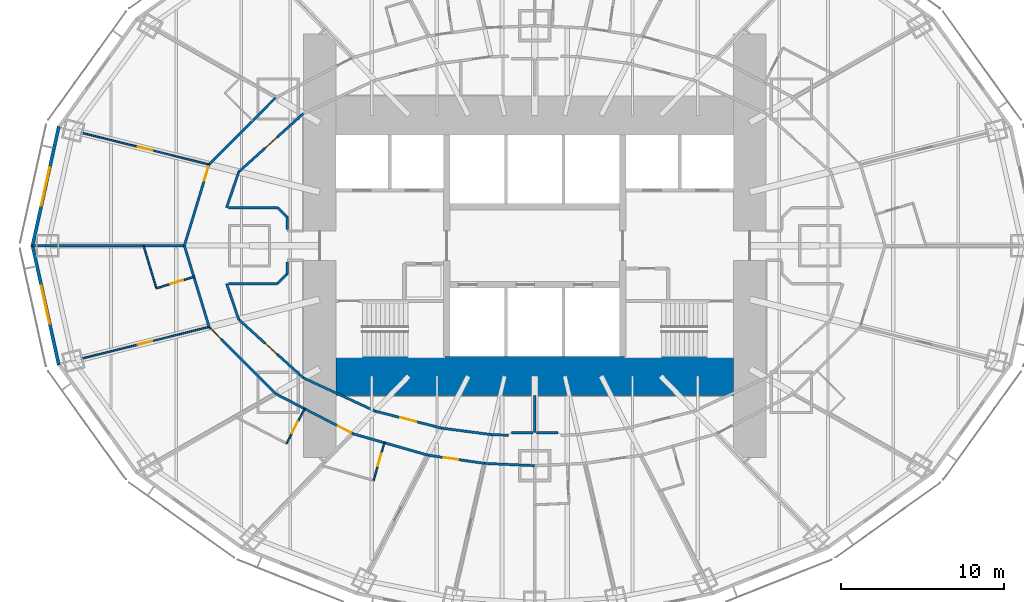
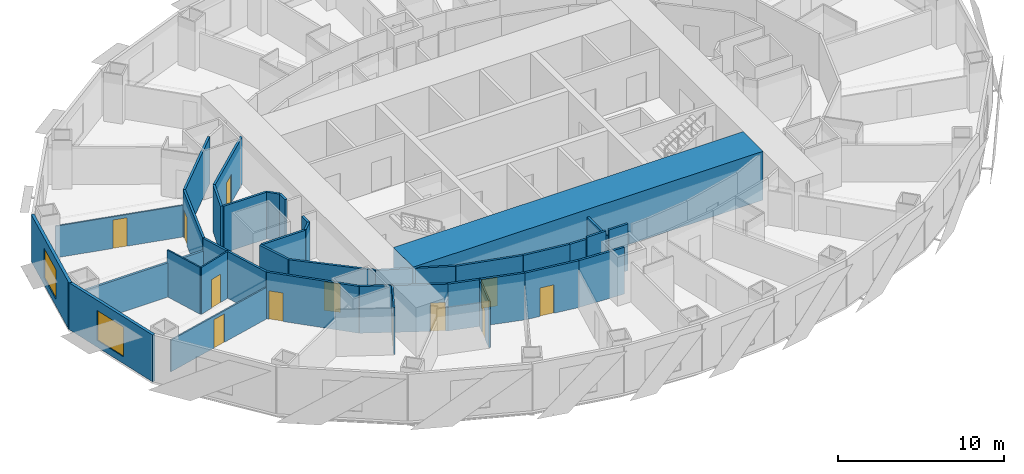
# One storey, part 5 of 15: 35 walls, 12 doors, 2 windows, 14 openings.
"""IFC4 building model written with IfcOpenShell, lengths in metres."""

import ifcopenshell
import ifcopenshell.guid

model = None  # the IFC model being written
_history = None  # IfcOwnerHistory: only IFC2X3 demands one
_inside = {}  # id of a spatial element -> (the spatial element, [elements in it])
_under = {}  # id of a project, library or spatial element -> (it, [spatial elements below it])
_declared = {}  # id of a project -> (the project, [libraries it declares])
_typed = {}  # id of a type object -> (the type object, [elements of that type])
_made_of = {}  # id of a material, layer set ... -> (it, [elements and type objects made of it])


def new_model(schema):
    """Start an empty IFC model of exactly this schema.

    Asked for "IFC4X3", IfcOpenShell would pick the latest addendum, in which some entities
    have other attributes; the version numbers below select the first issue.
    IFC2X3 requires an IfcOwnerHistory on every rooted entity: one is made here for all.
    """
    global model, _history
    if schema == "IFC4X3":
        model = ifcopenshell.file(schema_version=(4, 3, 0, 0))
    else:
        model = ifcopenshell.file(schema=schema)
    _inside.clear()
    _under.clear()
    _declared.clear()
    _typed.clear()
    _made_of.clear()
    _history = None
    if model.schema == "IFC2X3":
        org = make("IfcOrganization", Name="unknown")
        user = make(
            "IfcPersonAndOrganization",
            ThePerson=make("IfcPerson", FamilyName="unknown"),
            TheOrganization=org,
        )
        app = make(
            "IfcApplication",
            ApplicationDeveloper=org,
            Version="unknown",
            ApplicationFullName="unknown",
            ApplicationIdentifier="unknown",
        )
        _history = make(
            "IfcOwnerHistory",
            OwningUser=user,
            OwningApplication=app,
            ChangeAction="ADDED",
            CreationDate=0,
        )
    return model


def make(cls, **values):
    """One entity of the class cls with the attributes given. An attribute that is None is left unset."""
    return model.create_entity(
        cls, **{name: value for name, value in values.items() if value is not None}
    )


def rooted(cls, **values):
    """An entity with a GlobalId (a new one), such as an element, a storey or a relation."""
    return make(cls, GlobalId=ifcopenshell.guid.new(), OwnerHistory=_history, **values)


def si_unit(unit_type, name, prefix=None):
    """IfcSIUnit, for example si_unit("LENGTHUNIT", "METRE", prefix="MILLI")."""
    return make("IfcSIUnit", UnitType=unit_type, Prefix=prefix, Name=name)


def assignment(units):
    """IfcUnitAssignment: the units of a project."""
    return None if units is None else make("IfcUnitAssignment", Units=units)


def point(xyz):
    """IfcCartesianPoint."""
    return None if xyz is None else make("IfcCartesianPoint", Coordinates=xyz)


def direction(xyz):
    """IfcDirection."""
    return None if xyz is None else make("IfcDirection", DirectionRatios=xyz)


def frame(location, z_axis=None, x_axis=None):
    """IfcAxis2Placement3D, a coordinate frame: its origin and axes. An axis left out is left unset."""
    return make(
        "IfcAxis2Placement3D",
        Location=point(location),
        Axis=direction(z_axis),
        RefDirection=direction(x_axis),
    )


def frame_2d(location, x_axis=None):
    """IfcAxis2Placement2D, a coordinate frame in the plane: its origin and x axis."""
    return make(
        "IfcAxis2Placement2D", Location=point(location), RefDirection=direction(x_axis)
    )


def origin():
    """The frame at (0, 0, 0) with its axes left unset."""
    return frame((0.0, 0.0, 0.0))


def place(relative_to, where):
    """IfcLocalPlacement: puts the frame where relative to a parent placement (None: the world)."""
    return make(
        "IfcLocalPlacement", PlacementRelTo=relative_to, RelativePlacement=where
    )


def context(
    kind, dimensions, precision=None, world=None, true_north=None, identifier=None
):
    """IfcGeometricRepresentationContext, for example the 3D "Model" context."""
    return make(
        "IfcGeometricRepresentationContext",
        ContextIdentifier=identifier,
        ContextType=kind,
        CoordinateSpaceDimension=dimensions,
        Precision=precision,
        WorldCoordinateSystem=world,
        TrueNorth=true_north,
    )


def subcontext(parent, identifier, kind, view, scale=None):
    """IfcGeometricRepresentationSubContext, for example "Body" below "Model"."""
    return make(
        "IfcGeometricRepresentationSubContext",
        ContextIdentifier=identifier,
        ContextType=kind,
        ParentContext=parent,
        TargetScale=scale,
        TargetView=view,
    )


def project(units=None, contexts=None):
    """IfcProject with its units and contexts."""
    return rooted(
        "IfcProject",
        Name="project",
        RepresentationContexts=contexts,
        UnitsInContext=assignment(units),
    )


def spatial(cls, under=None, at=None, **own):
    """A site, building, storey or space (cls), placed at a placement, below another one or the project."""
    s = rooted(cls, ObjectPlacement=at, **own)
    if under is not None:
        _under.setdefault(under.id(), (under, []))[1].append(s)
    return s


def profile(cls, at=None, kind="AREA", **sizes):
    """A parametric profile (cls). Its sizes go by their IFC names, for example OverallWidth=200.0."""
    return make(cls, ProfileType=kind, Position=at, **sizes)


def rectangle(**sizes):
    """IfcRectangleProfileDef."""
    return profile("IfcRectangleProfileDef", **sizes)


def extrude(swept, where, along, depth):
    """IfcExtrudedAreaSolid: the profile swept, set in the frame where, extruded along a direction by depth."""
    return make(
        "IfcExtrudedAreaSolid",
        SweptArea=swept,
        Position=where,
        ExtrudedDirection=direction(along),
        Depth=depth,
    )


def shape(context_of_items, identifier, shape_type, items):
    """IfcShapeRepresentation: the items that make up one representation, for example the "Body"."""
    return make(
        "IfcShapeRepresentation",
        ContextOfItems=context_of_items,
        RepresentationIdentifier=identifier,
        RepresentationType=shape_type,
        Items=items,
    )


def material(Name=None, Category=None):
    """IfcMaterial."""
    return make("IfcMaterial", Name=Name, Category=Category)


def layer(
    of_material, thickness, ventilated=None, Name=None, Category=None, Priority=None
):
    """IfcMaterialLayer: one layer of a wall or slab, of a material (None: an air gap)."""
    return make(
        "IfcMaterialLayer",
        Material=of_material,
        LayerThickness=thickness,
        IsVentilated=ventilated,
        Name=Name,
        Category=Category,
        Priority=Priority,
    )


def layer_set(layers, Name=None):
    """IfcMaterialLayerSet."""
    return make("IfcMaterialLayerSet", MaterialLayers=layers, LayerSetName=Name)


def made_of(thing, what):
    """Note that an element or type object is made of a material, layer set ...; save() writes the relation."""
    if what is not None:
        _made_of.setdefault(what.id(), (what, []))[1].append(thing)
    return thing


def type_object(cls, material=None, **own):
    """A type object (cls), such as IfcWallType, which elements share."""
    return made_of(rooted(cls, **own), material)


def element(
    cls,
    number,
    at=None,
    inside=None,
    cuts=None,
    type_object=None,
    material=None,
    context=None,
    identifier="Body",
    shape_type=None,
    held_by="IfcProductDefinitionShape",
    body=None,
    shapes=None,
    **own,
):
    """One element of the class cls, such as IfcWall. Its Tag is "e" and its number.

    at: its placement. inside: the storey or other place that contains it. cuts: it is an
    opening in that element (IfcRelVoidsElement). A single representation is given by context,
    identifier, shape_type and body (its items); several are given by shapes. held_by: the class
    of the entity that holds the representations. save() writes the other relations.
    """
    e = rooted(cls, Tag="e%d" % number, ObjectPlacement=at, **own)
    if body is not None:
        shapes = [shape(context, identifier, shape_type, body)]
    if shapes is not None:
        e.Representation = make(held_by, Representations=shapes)
    if inside is not None:
        _inside.setdefault(inside.id(), (inside, []))[1].append(e)
    if cuts is not None:
        rooted(
            "IfcRelVoidsElement", RelatingBuildingElement=cuts, RelatedOpeningElement=e
        )
    if type_object is not None:
        _typed.setdefault(type_object.id(), (type_object, []))[1].append(e)
    return made_of(e, material)


def fill(opening, filler):
    """IfcRelFillsElement: the door or window that sits in an opening."""
    return rooted(
        "IfcRelFillsElement",
        RelatingOpeningElement=opening,
        RelatedBuildingElement=filler,
    )


def aggregate(whole, parts):
    """IfcRelAggregates: a whole, such as a stair, and the parts it consists of."""
    return rooted("IfcRelAggregates", RelatingObject=whole, RelatedObjects=parts)


def save(model, path):
    """Write the relations noted so far, then the file.

    IfcRelAggregates (storeys below a building ...), IfcRelContainedInSpatialStructure (elements
    in a storey), IfcRelDefinesByType, IfcRelAssociatesMaterial and IfcRelDeclares: one each for
    every whole, place, type object, material and project.
    """
    for whole, parts in _under.values():
        aggregate(whole, parts)
    for where, things in _inside.values():
        rooted(
            "IfcRelContainedInSpatialStructure",
            RelatedElements=things,
            RelatingStructure=where,
        )
    for kind, things in _typed.values():
        rooted("IfcRelDefinesByType", RelatedObjects=things, RelatingType=kind)
    for what, things in _made_of.values():
        rooted("IfcRelAssociatesMaterial", RelatedObjects=things, RelatingMaterial=what)
    for by, libraries in _declared.values():
        rooted("IfcRelDeclares", RelatingContext=by, RelatedDefinitions=libraries)
    model.write(path)


model = new_model("IFC4")

# Units and contexts
model_context = context("Model", 3, precision=1e-05, world=origin(), true_north=direction((0.0, 1.0)))
body_context = subcontext(model_context, "Body", "Model", "MODEL_VIEW")
ifc_project = project(units=[si_unit("LENGTHUNIT", "METRE"), si_unit("AREAUNIT", "SQUARE_METRE"), si_unit("VOLUMEUNIT", "CUBIC_METRE"), si_unit("PLANEANGLEUNIT", "RADIAN"), si_unit("MASSUNIT", "GRAM", prefix="KILO")], contexts=[model_context])

# Site, building, storey
site_placement = place(None, origin())
site = spatial("IfcSite", under=ifc_project, at=site_placement, CompositionType="ELEMENT")
building_placement = place(site_placement, origin())
building = spatial("IfcBuilding", under=site, at=building_placement, Name="Lantaw Convention Tower", CompositionType="ELEMENT")
storey_placement = place(building_placement, frame((0.0, 0.0, 51.39990234375)))
storey = spatial("IfcBuildingStorey", under=building, at=storey_placement, Name="L10", CompositionType="ELEMENT", Elevation=51.39990234375)

# Wall
ifc_material_1 = material(Name="Gypsum board on steel studs", Category="steel")
ifc_layer_1 = layer(ifc_material_1, 0.14990234375)
ifc_layer_set_1 = layer_set([ifc_layer_1], Name="Back of house wall 150")
wall_type_1 = type_object("IfcWallType", Name="Back of house wall 150", PredefinedType="PARTITIONING", material=ifc_layer_set_1)
wall_1_placement = place(storey_placement, frame((0.0, -9.199951171875, 0.0), z_axis=(0.0, 0.0, 1.0), x_axis=(0.0, -1.0, 0.0)))
element("IfcWall", 1, at=wall_1_placement, inside=storey, type_object=wall_type_1, Name="Back of house wall 150", PredefinedType="PARTITIONING", context=body_context, shape_type="SweptSolid", body=[
    extrude(rectangle(XDim=2.26513671875, YDim=0.14990234375, at=frame_2d((1.132568359375, 0.0))), origin(), (0.0, 0.0, 1.0), 3.043701171875),
])

# Wall, opening, door
ifc_material_2 = material(Name="Moisture resistant gypsum board on steel studs", Category="steel")
ifc_layer_2 = layer(ifc_material_2, 0.10009765625)
ifc_layer_set_2 = layer_set([ifc_layer_2], Name="Bathroom wall 100")
wall_type_2 = type_object("IfcWallType", Name="Bathroom wall 100", PredefinedType="PARTITIONING", material=ifc_layer_set_2)
wall_2_placement = place(storey_placement, frame((-20.917236328125, -1.9130859375, 0.0), z_axis=(0.0, 0.0, 1.0), x_axis=(-0.956591303063, -0.291432803411, 0.0)))
wall_2 = element("IfcWall", 2, at=wall_2_placement, inside=storey, type_object=wall_type_2, Name="Bathroom wall 100", PredefinedType="PARTITIONING", context=body_context, shape_type="SweptSolid", body=[
    extrude(rectangle(XDim=2.400146484375, YDim=0.10009765625, at=frame_2d((1.2001953125, 0.0))), origin(), (0.0, 0.0, 1.0), 3.4501953125),
])
opening_1_placement = place(wall_2_placement, frame((0.699951171875, 0.0, 0.0)))
opening_1 = element("IfcOpeningElement", 3, at=opening_1_placement, cuts=wall_2, Name="Opening L10.44", PredefinedType="OPENING", context=body_context, shape_type="SweptSolid", body=[
    extrude(rectangle(XDim=0.800048828125, YDim=2.10009765625, at=frame_2d((0.39990234375, 1.050048828125))), frame((0.0, 0.06005859375, 0.0), z_axis=(0.0, -1.0, 0.0), x_axis=(1.0, 0.0, 0.0)), (0.0, 0.0, 1.0), 0.1201171875),
])
ifc_material_3 = material(Name="Timber", Category="wood")
door_type_1 = type_object("IfcDoorType", Name="Bathroom door 800", OperationType="SINGLE_SWING_LEFT", PredefinedType="DOOR", material=ifc_material_3)
door_1_placement = place(opening_1_placement, origin())
door_1 = element("IfcDoor", 4, at=door_1_placement, inside=storey, type_object=door_type_1, Name="Bathroom door", OperationType="SINGLE_SWING_LEFT", OverallHeight=2.10009765625, OverallWidth=0.800048828125, PredefinedType="DOOR", context=body_context, shape_type="SweptSolid", body=[
    extrude(rectangle(XDim=0.800048828125, YDim=2.10009765625, at=frame_2d((0.39990234375, 1.050048828125))), frame((0.0, 0.02490234375, 0.0), z_axis=(0.0, -1.0, 0.0), x_axis=(1.0, 0.0, 0.0)), (0.0, 0.0, 1.0), 0.050048828125),
])
fill(opening_1, door_1)

# Wall
wall_3_placement = place(storey_placement, frame((-23.213134765625, -2.612548828125, 0.0), z_axis=(0.0, 0.0, 1.0), x_axis=(-0.291339473488, 0.956619731757, 0.0)))
element("IfcWall", 5, at=wall_3_placement, inside=storey, type_object=wall_type_2, Name="Bathroom wall 100", PredefinedType="PARTITIONING", context=body_context, shape_type="SweptSolid", body=[
    extrude(rectangle(XDim=2.73095703125, YDim=0.10009765625, at=frame_2d((1.365478515625, 0.0))), origin(), (0.0, 0.0, 1.0), 3.4501953125),
])

# Wall, opening, door
wall_4_placement = place(storey_placement, frame((-14.12451171875, -10.0048828125, 0.0), z_axis=(0.0, 0.0, 1.0), x_axis=(-0.459218106657, -0.888323550582, 0.0)))
wall_4 = element("IfcWall", 6, at=wall_4_placement, inside=storey, type_object=wall_type_2, Name="Bathroom wall 100", PredefinedType="PARTITIONING", context=body_context, shape_type="SweptSolid", body=[
    extrude(rectangle(XDim=2.39990234375, YDim=0.10009765625, at=frame_2d((1.199951171875, 0.0))), origin(), (0.0, 0.0, 1.0), 3.4501953125),
])
opening_2_placement = place(wall_4_placement, frame((0.89990234375, 0.0, 0.0)))
opening_2 = element("IfcOpeningElement", 7, at=opening_2_placement, cuts=wall_4, Name="Opening L10.47", PredefinedType="OPENING", context=body_context, shape_type="SweptSolid", body=[
    extrude(rectangle(XDim=0.800048828125, YDim=2.10009765625, at=frame_2d((0.39990234375, 1.050048828125))), frame((0.0, 0.06005859375, 0.0), z_axis=(0.0, -1.0, 0.0), x_axis=(1.0, 0.0, 0.0)), (0.0, 0.0, 1.0), 0.1201171875),
])
door_2_placement = place(opening_2_placement, origin())
door_2 = element("IfcDoor", 8, at=door_2_placement, inside=storey, type_object=door_type_1, Name="Bathroom door", OperationType="SINGLE_SWING_LEFT", OverallHeight=2.10009765625, OverallWidth=0.800048828125, PredefinedType="DOOR", context=body_context, shape_type="SweptSolid", body=[
    extrude(rectangle(XDim=0.800048828125, YDim=2.10009765625, at=frame_2d((0.39990234375, 1.050048828125))), frame((0.0, 0.02490234375, 0.0), z_axis=(0.0, -1.0, 0.0), x_axis=(1.0, 0.0, 0.0)), (0.0, 0.0, 1.0), 0.050048828125),
])
fill(opening_2, door_2)

wall_5_placement = place(storey_placement, frame((-9.224609375, -12.093505859375, 0.0), z_axis=(0.0, 0.0, 1.0), x_axis=(-0.274949510627, -0.961458666093, 0.0)))
wall_5 = element("IfcWall", 9, at=wall_5_placement, inside=storey, type_object=wall_type_2, Name="Bathroom wall 100", PredefinedType="PARTITIONING", context=body_context, shape_type="SweptSolid", body=[
    extrude(rectangle(XDim=2.400146484375, YDim=0.10009765625, at=frame_2d((1.2001953125, 0.0))), origin(), (0.0, 0.0, 1.0), 3.4501953125),
])
opening_3_placement = place(wall_5_placement, frame((0.699951171875, 0.0, 0.0)))
opening_3 = element("IfcOpeningElement", 10, at=opening_3_placement, cuts=wall_5, Name="Opening L10.49", PredefinedType="OPENING", context=body_context, shape_type="SweptSolid", body=[
    extrude(rectangle(XDim=0.800048828125, YDim=2.10009765625, at=frame_2d((0.39990234375, 1.050048828125))), frame((0.0, 0.06005859375, 0.0), z_axis=(0.0, -1.0, 0.0), x_axis=(1.0, 0.0, 0.0)), (0.0, 0.0, 1.0), 0.1201171875),
])
door_3_placement = place(opening_3_placement, origin())
door_3 = element("IfcDoor", 11, at=door_3_placement, inside=storey, type_object=door_type_1, Name="Bathroom door", OperationType="SINGLE_SWING_LEFT", OverallHeight=2.10009765625, OverallWidth=0.800048828125, PredefinedType="DOOR", context=body_context, shape_type="SweptSolid", body=[
    extrude(rectangle(XDim=0.800048828125, YDim=2.10009765625, at=frame_2d((0.39990234375, 1.050048828125))), frame((0.0, 0.02490234375, 0.0), z_axis=(0.0, -1.0, 0.0), x_axis=(1.0, 0.0, 0.0)), (0.0, 0.0, 1.0), 0.050048828125),
])
fill(opening_3, door_3)

# Walls
ifc_material_4 = material(Name="Concrete C60/75", Category="concrete")
ifc_layer_3 = layer(ifc_material_4, 2.39990234375)
ifc_layer_set_3 = layer_set([ifc_layer_3], Name="Core wall 2400")
wall_type_3 = type_object("IfcWallType", Name="Core wall 2400", PredefinedType="SHEAR", material=ifc_layer_set_3)
wall_6_placement = place(storey_placement, frame((-12.199951171875, -8.0, 0.0), z_axis=(0.0, 0.0, 1.0), x_axis=(1.0, 0.0, 0.0)))
element("IfcWall", 12, at=wall_6_placement, inside=storey, type_object=wall_type_3, Name="Core wall S", PredefinedType="SHEAR", context=body_context, shape_type="SweptSolid", body=[
    extrude(rectangle(XDim=24.39990234375, YDim=2.39990234375, at=frame_2d((12.199951171875, 0.0))), origin(), (0.0, 0.0, 1.0), 3.60009765625),
])
ifc_material_5 = material(Name="Gypsum board on steel studs, fire rated", Category="steel")
ifc_layer_4 = layer(ifc_material_5, 0.14990234375)
ifc_layer_set_4 = layer_set([ifc_layer_4], Name="Corridor wall 150 EI 60")
wall_type_4 = type_object("IfcWallType", Name="Corridor wall 150 EI 60", PredefinedType="PARTITIONING", material=ifc_layer_set_4)
wall_7_placement = place(storey_placement, frame((-15.901123046875, 9.08642578125, 0.0), z_axis=(0.0, 0.0, 1.0), x_axis=(-0.705121546414, -0.709086457904, 0.0)))
element("IfcWall", 13, at=wall_7_placement, inside=storey, type_object=wall_type_4, Name="Corridor wall 150", PredefinedType="PARTITIONING", context=body_context, shape_type="SweptSolid", body=[
    extrude(rectangle(XDim=5.7880859375, YDim=0.14990234375, at=frame_2d((2.89404296875, 0.0))), origin(), (0.0, 0.0, 1.0), 3.4501953125),
])

# Wall, opening, door
wall_8_placement = place(storey_placement, frame((-19.982421875, 4.982177734375, 0.0), z_axis=(0.0, 0.0, 1.0), x_axis=(-0.291383581394, -0.95660629754, 0.0)))
wall_8 = element("IfcWall", 14, at=wall_8_placement, inside=storey, type_object=wall_type_4, Name="Corridor wall 150", PredefinedType="PARTITIONING", context=body_context, shape_type="SweptSolid", body=[
    extrude(rectangle(XDim=5.208251953125, YDim=0.14990234375, at=frame_2d((2.60400390625, 0.0))), origin(), (0.0, 0.0, 1.0), 3.4501953125),
])
opening_4_placement = place(wall_8_placement, frame((0.14990234375, 0.0, 0.0)))
opening_4 = element("IfcOpeningElement", 15, at=opening_4_placement, cuts=wall_8, Name="Opening L10.43", PredefinedType="OPENING", context=body_context, shape_type="SweptSolid", body=[
    extrude(rectangle(XDim=0.89990234375, YDim=2.10009765625, at=frame_2d((0.449951171875, 1.050048828125))), frame((0.0, 0.0849609375, 0.0), z_axis=(0.0, -1.0, 0.0), x_axis=(1.0, 0.0, 0.0)), (0.0, 0.0, 1.0), 0.169921875),
])
ifc_material_6 = material(Name="Steel, fire rated", Category="steel")
door_type_2 = type_object("IfcDoorType", Name="Guest room entrance door FD30S", OperationType="SINGLE_SWING_LEFT", PredefinedType="DOOR", material=ifc_material_6)
door_4_placement = place(opening_4_placement, origin())
door_4 = element("IfcDoor", 16, at=door_4_placement, inside=storey, type_object=door_type_2, Name="Suite entrance door", OperationType="SINGLE_SWING_LEFT", OverallHeight=2.10009765625, OverallWidth=0.89990234375, PredefinedType="DOOR", context=body_context, shape_type="SweptSolid", body=[
    extrude(rectangle(XDim=0.89990234375, YDim=2.10009765625, at=frame_2d((0.449951171875, 1.050048828125))), frame((0.0, 0.02490234375, 0.0), z_axis=(0.0, -1.0, 0.0), x_axis=(1.0, 0.0, 0.0)), (0.0, 0.0, 1.0), 0.050048828125),
])
fill(opening_4, door_4)

# Wall
wall_9_placement = place(storey_placement, frame((-21.5, 0.0, 0.0), z_axis=(0.0, 0.0, 1.0), x_axis=(0.291383581394, -0.95660629754, 0.0)))
element("IfcWall", 17, at=wall_9_placement, inside=storey, type_object=wall_type_4, Name="Corridor wall 150", PredefinedType="PARTITIONING", context=body_context, shape_type="SweptSolid", body=[
    extrude(rectangle(XDim=5.208251953125, YDim=0.14990234375, at=frame_2d((2.60400390625, 0.0))), origin(), (0.0, 0.0, 1.0), 3.4501953125),
])

# Wall, opening, door
wall_10_placement = place(storey_placement, frame((-19.982421875, -4.982177734375, 0.0), z_axis=(0.0, 0.0, 1.0), x_axis=(0.705121546414, -0.709086457904, 0.0)))
wall_10 = element("IfcWall", 18, at=wall_10_placement, inside=storey, type_object=wall_type_4, Name="Corridor wall 150", PredefinedType="PARTITIONING", context=body_context, shape_type="SweptSolid", body=[
    extrude(rectangle(XDim=5.7880859375, YDim=0.14990234375, at=frame_2d((2.89404296875, 0.0))), origin(), (0.0, 0.0, 1.0), 3.4501953125),
])
opening_5_placement = place(wall_10_placement, frame((0.14990234375, 0.0, 0.0)))
opening_5 = element("IfcOpeningElement", 19, at=opening_5_placement, cuts=wall_10, Name="Opening L10.46", PredefinedType="OPENING", context=body_context, shape_type="SweptSolid", body=[
    extrude(rectangle(XDim=0.89990234375, YDim=2.10009765625, at=frame_2d((0.449951171875, 1.050048828125))), frame((0.0, 0.0849609375, 0.0), z_axis=(0.0, -1.0, 0.0), x_axis=(1.0, 0.0, 0.0)), (0.0, 0.0, 1.0), 0.169921875),
])
door_5_placement = place(opening_5_placement, origin())
door_5 = element("IfcDoor", 20, at=door_5_placement, inside=storey, type_object=door_type_2, Name="Suite entrance door", OperationType="SINGLE_SWING_LEFT", OverallHeight=2.10009765625, OverallWidth=0.89990234375, PredefinedType="DOOR", context=body_context, shape_type="SweptSolid", body=[
    extrude(rectangle(XDim=0.89990234375, YDim=2.10009765625, at=frame_2d((0.449951171875, 1.050048828125))), frame((0.0, 0.02490234375, 0.0), z_axis=(0.0, -1.0, 0.0), x_axis=(1.0, 0.0, 0.0)), (0.0, 0.0, 1.0), 0.050048828125),
])
fill(opening_5, door_5)

wall_11_placement = place(storey_placement, frame((-15.901123046875, -9.08642578125, 0.0), z_axis=(0.0, 0.0, 1.0), x_axis=(0.888333171507, -0.459199495209, 0.0)))
wall_11 = element("IfcWall", 21, at=wall_11_placement, inside=storey, type_object=wall_type_4, Name="Corridor wall 150", PredefinedType="PARTITIONING", context=body_context, shape_type="SweptSolid", body=[
    extrude(rectangle(XDim=5.351318359375, YDim=0.14990234375, at=frame_2d((2.67578125, 0.0))), origin(), (0.0, 0.0, 1.0), 3.4501953125),
])
opening_6_placement = place(wall_11_placement, frame((4.301025390625, 0.0, 0.0)))
opening_6 = element("IfcOpeningElement", 22, at=opening_6_placement, cuts=wall_11, Name="Opening L10.48", PredefinedType="OPENING", context=body_context, shape_type="SweptSolid", body=[
    extrude(rectangle(XDim=0.89990234375, YDim=2.10009765625, at=frame_2d((0.449951171875, 1.050048828125))), frame((0.0, 0.0849609375, 0.0), z_axis=(0.0, -1.0, 0.0), x_axis=(1.0, 0.0, 0.0)), (0.0, 0.0, 1.0), 0.169921875),
])
door_6_placement = place(opening_6_placement, origin())
door_6 = element("IfcDoor", 23, at=door_6_placement, inside=storey, type_object=door_type_2, Name="Guest room entrance door", OperationType="SINGLE_SWING_LEFT", OverallHeight=2.10009765625, OverallWidth=0.89990234375, PredefinedType="DOOR", context=body_context, shape_type="SweptSolid", body=[
    extrude(rectangle(XDim=0.89990234375, YDim=2.10009765625, at=frame_2d((0.449951171875, 1.050048828125))), frame((0.0, 0.02490234375, 0.0), z_axis=(0.0, -1.0, 0.0), x_axis=(1.0, 0.0, 0.0)), (0.0, 0.0, 1.0), 0.050048828125),
])
fill(opening_6, door_6)

# Wall
wall_12_placement = place(storey_placement, frame((-11.1474609375, -11.543701171875, 0.0), z_axis=(0.0, 0.0, 1.0), x_axis=(0.961464178199, -0.27493023486, 0.0)))
element("IfcWall", 24, at=wall_12_placement, inside=storey, type_object=wall_type_4, Name="Corridor wall 150", PredefinedType="PARTITIONING", context=body_context, shape_type="SweptSolid", body=[
    extrude(rectangle(XDim=4.7802734375, YDim=0.14990234375, at=frame_2d((2.39013671875, 0.0))), origin(), (0.0, 0.0, 1.0), 3.4501953125),
])

# Wall, opening, door
wall_13_placement = place(storey_placement, frame((-6.551513671875, -12.85791015625, 0.0), z_axis=(0.0, 0.0, 1.0), x_axis=(0.989661745886, -0.143421158583, 0.0)))
wall_13 = element("IfcWall", 25, at=wall_13_placement, inside=storey, type_object=wall_type_4, Name="Corridor wall 150", PredefinedType="PARTITIONING", context=body_context, shape_type="SweptSolid", body=[
    extrude(rectangle(XDim=3.503173828125, YDim=0.14990234375, at=frame_2d((1.75146484375, 0.0))), origin(), (0.0, 0.0, 1.0), 3.4501953125),
])
opening_7_placement = place(wall_13_placement, frame((0.987548828125, 0.0, 0.0)))
opening_7 = element("IfcOpeningElement", 26, at=opening_7_placement, cuts=wall_13, Name="Opening L10.52", PredefinedType="OPENING", context=body_context, shape_type="SweptSolid", body=[
    extrude(rectangle(XDim=0.89990234375, YDim=2.10009765625, at=frame_2d((0.449951171875, 1.050048828125))), frame((0.0, 0.0849609375, 0.0), z_axis=(0.0, -1.0, 0.0), x_axis=(1.0, 0.0, 0.0)), (0.0, 0.0, 1.0), 0.169921875),
])
door_7_placement = place(opening_7_placement, origin())
door_7 = element("IfcDoor", 27, at=door_7_placement, inside=storey, type_object=door_type_2, Name="Suite entrance door", OperationType="SINGLE_SWING_LEFT", OverallHeight=2.10009765625, OverallWidth=0.89990234375, PredefinedType="DOOR", context=body_context, shape_type="SweptSolid", body=[
    extrude(rectangle(XDim=0.89990234375, YDim=2.10009765625, at=frame_2d((0.449951171875, 1.050048828125))), frame((0.0, 0.02490234375, 0.0), z_axis=(0.0, -1.0, 0.0), x_axis=(1.0, 0.0, 0.0)), (0.0, 0.0, 1.0), 0.050048828125),
])
fill(opening_7, door_7)

# Wall
wall_14_placement = place(storey_placement, frame((-3.08447265625, -13.3603515625, 0.0), z_axis=(0.0, 0.0, 1.0), x_axis=(0.998976675711, -0.045228325036, 0.0)))
element("IfcWall", 28, at=wall_14_placement, inside=storey, type_object=wall_type_4, Name="Corridor wall 150", PredefinedType="PARTITIONING", context=body_context, shape_type="SweptSolid", body=[
    extrude(rectangle(XDim=3.087646484375, YDim=0.14990234375, at=frame_2d((1.5439453125, 0.0))), origin(), (0.0, 0.0, 1.0), 3.4501953125),
])

# Wall, opening, door
wall_15_placement = place(storey_placement, frame((-14.196044921875, 8.112060546875, 0.0), z_axis=(0.0, 0.0, 1.0), x_axis=(-0.742194222, -0.670184852731, 0.0)))
wall_15 = element("IfcWall", 29, at=wall_15_placement, inside=storey, type_object=wall_type_4, Name="Corridor wall 150", PredefinedType="PARTITIONING", context=body_context, shape_type="SweptSolid", body=[
    extrude(rectangle(XDim=5.3466796875, YDim=0.14990234375, at=frame_2d((2.67333984375, 0.0))), origin(), (0.0, 0.0, 1.0), 3.4501953125),
])
opening_8_placement = place(wall_15_placement, frame((2.17333984375, 0.0, 0.0)))
opening_8 = element("IfcOpeningElement", 30, at=opening_8_placement, cuts=wall_15, Name="Opening L10.18", PredefinedType="OPENING", context=body_context, shape_type="SweptSolid", body=[
    extrude(rectangle(XDim=1.0, YDim=2.10009765625, at=frame_2d((0.5, 1.050048828125))), frame((0.0, 0.0849609375, 0.0), z_axis=(0.0, -1.0, 0.0), x_axis=(1.0, 0.0, 0.0)), (0.0, 0.0, 1.0), 0.169921875),
])
door_type_3 = type_object("IfcDoorType", Name="Service door 1000 FD30", OperationType="SINGLE_SWING_LEFT", PredefinedType="DOOR", material=ifc_material_6)
door_8_placement = place(opening_8_placement, origin())
door_8 = element("IfcDoor", 31, at=door_8_placement, inside=storey, type_object=door_type_3, Name="Housekeeping room door", OperationType="SINGLE_SWING_LEFT", OverallHeight=2.10009765625, OverallWidth=1.0, PredefinedType="DOOR", context=body_context, shape_type="SweptSolid", body=[
    extrude(rectangle(XDim=1.0, YDim=2.10009765625, at=frame_2d((0.5, 1.050048828125))), frame((0.0, 0.02490234375, 0.0), z_axis=(0.0, -1.0, 0.0), x_axis=(1.0, 0.0, 0.0)), (0.0, 0.0, 1.0), 0.050048828125),
])
fill(opening_8, door_8)

wall_16_placement = place(storey_placement, frame((-18.164306640625, -4.52880859375, 0.0), z_axis=(0.0, 0.0, 1.0), x_axis=(0.742194222, -0.670184852731, 0.0)))
wall_16 = element("IfcWall", 32, at=wall_16_placement, inside=storey, type_object=wall_type_4, Name="Corridor wall 150", PredefinedType="PARTITIONING", context=body_context, shape_type="SweptSolid", body=[
    extrude(rectangle(XDim=5.3466796875, YDim=0.14990234375, at=frame_2d((2.67333984375, 0.0))), origin(), (0.0, 0.0, 1.0), 3.4501953125),
])
opening_9_placement = place(wall_16_placement, frame((2.17333984375, 0.0, 0.0)))
opening_9 = element("IfcOpeningElement", 33, at=opening_9_placement, cuts=wall_16, Name="Opening L10.21", PredefinedType="OPENING", context=body_context, shape_type="SweptSolid", body=[
    extrude(rectangle(XDim=1.0, YDim=2.10009765625, at=frame_2d((0.5, 1.050048828125))), frame((0.0, 0.0849609375, 0.0), z_axis=(0.0, -1.0, 0.0), x_axis=(1.0, 0.0, 0.0)), (0.0, 0.0, 1.0), 0.169921875),
])
door_9_placement = place(opening_9_placement, origin())
door_9 = element("IfcDoor", 34, at=door_9_placement, inside=storey, type_object=door_type_3, Name="Staff room door", OperationType="SINGLE_SWING_LEFT", OverallHeight=2.10009765625, OverallWidth=1.0, PredefinedType="DOOR", context=body_context, shape_type="SweptSolid", body=[
    extrude(rectangle(XDim=1.0, YDim=2.10009765625, at=frame_2d((0.5, 1.050048828125))), frame((0.0, 0.02490234375, 0.0), z_axis=(0.0, -1.0, 0.0), x_axis=(1.0, 0.0, 0.0)), (0.0, 0.0, 1.0), 0.050048828125),
])
fill(opening_9, door_9)

# Wall
wall_17_placement = place(storey_placement, frame((-14.196044921875, -8.112060546875, 0.0), z_axis=(0.0, 0.0, 1.0), x_axis=(0.907279653965, -0.420527798727, 0.0)))
element("IfcWall", 35, at=wall_17_placement, inside=storey, type_object=wall_type_4, Name="Corridor wall 150", PredefinedType="PARTITIONING", context=body_context, shape_type="SweptSolid", body=[
    extrude(rectangle(XDim=4.84423828125, YDim=0.14990234375, at=frame_2d((2.422119140625, 0.0))), origin(), (0.0, 0.0, 1.0), 3.4501953125),
])

# Wall, opening, door
wall_18_placement = place(storey_placement, frame((-9.801025390625, -10.149169921875, 0.0), z_axis=(0.0, 0.0, 1.0), x_axis=(0.968705891355, -0.248211393886, 0.0)))
wall_18 = element("IfcWall", 36, at=wall_18_placement, inside=storey, type_object=wall_type_4, Name="Corridor wall 150", PredefinedType="PARTITIONING", context=body_context, shape_type="SweptSolid", body=[
    extrude(rectangle(XDim=4.2275390625, YDim=0.14990234375, at=frame_2d((2.11376953125, 0.0))), origin(), (0.0, 0.0, 1.0), 3.4501953125),
])
opening_10_placement = place(wall_18_placement, frame((1.61376953125, 0.0, 0.0)))
opening_10 = element("IfcOpeningElement", 37, at=opening_10_placement, cuts=wall_18, Name="Opening L10.22", PredefinedType="OPENING", context=body_context, shape_type="SweptSolid", body=[
    extrude(rectangle(XDim=1.0, YDim=2.10009765625, at=frame_2d((0.5, 1.050048828125))), frame((0.0, 0.0849609375, 0.0), z_axis=(0.0, -1.0, 0.0), x_axis=(1.0, 0.0, 0.0)), (0.0, 0.0, 1.0), 0.169921875),
])
door_10_placement = place(opening_10_placement, origin())
door_10 = element("IfcDoor", 38, at=door_10_placement, inside=storey, type_object=door_type_3, Name="Staff room door", OperationType="SINGLE_SWING_LEFT", OverallHeight=2.10009765625, OverallWidth=1.0, PredefinedType="DOOR", context=body_context, shape_type="SweptSolid", body=[
    extrude(rectangle(XDim=1.0, YDim=2.10009765625, at=frame_2d((0.5, 1.050048828125))), frame((0.0, 0.02490234375, 0.0), z_axis=(0.0, -1.0, 0.0), x_axis=(1.0, 0.0, 0.0)), (0.0, 0.0, 1.0), 0.050048828125),
])
fill(opening_10, door_10)

# Walls
wall_19_placement = place(storey_placement, frame((-5.705810546875, -11.198486328125, 0.0), z_axis=(0.0, 0.0, 1.0), x_axis=(0.99168929531, -0.128655903743, 0.0)))
element("IfcWall", 39, at=wall_19_placement, inside=storey, type_object=wall_type_4, Name="Corridor wall 150", PredefinedType="PARTITIONING", context=body_context, shape_type="SweptSolid", body=[
    extrude(rectangle(XDim=3.05517578125, YDim=0.14990234375, at=frame_2d((1.527587890625, 0.0))), origin(), (0.0, 0.0, 1.0), 3.4501953125),
])
for number, where, z_axis, x_axis, name in (
    (40, (-18.164306640625, 4.52880859375, 0.0), (0.0, 0.0, 1.0), (-0.321124194945, -0.947037090837, 0.0), "Corridor wall 150"),
    (41, (-18.908203125, -2.3349609375, 0.0), (0.0, 0.0, 1.0), (0.321124194945, -0.947037090837, 0.0), "Corridor wall 150"),
):
    element("IfcWall", number, at=place(storey_placement, frame(where, z_axis=z_axis, x_axis=x_axis)), inside=storey, type_object=wall_type_4, Name=name, PredefinedType="PARTITIONING", context=body_context, shape_type="SweptSolid", body=[
        extrude(rectangle(XDim=2.316650390625, YDim=0.14990234375, at=frame_2d((1.158203125, 0.0))), origin(), (0.0, 0.0, 1.0), 3.4501953125),
    ])
wall_20_placement = place(storey_placement, frame((-18.80078125, 2.324951171875, 0.0), z_axis=(0.0, 0.0, 1.0), x_axis=(1.0, 0.0, 0.0)))
element("IfcWall", 42, at=wall_20_placement, inside=storey, type_object=wall_type_4, Name="Corridor wall 150", PredefinedType="PARTITIONING", context=body_context, shape_type="SweptSolid", body=[
    extrude(rectangle(XDim=3.025390625, YDim=0.14990234375, at=frame_2d((1.5126953125, 0.0))), origin(), (0.0, 0.0, 1.0), 3.4501953125),
])
wall_21_placement = place(storey_placement, frame((-15.775390625, 2.324951171875, 0.0), z_axis=(0.0, 0.0, 1.0), x_axis=(0.707106781187, -0.707106781187, 0.0)))
element("IfcWall", 43, at=wall_21_placement, inside=storey, type_object=wall_type_4, Name="Corridor wall 150", PredefinedType="PARTITIONING", context=body_context, shape_type="SweptSolid", body=[
    extrude(rectangle(XDim=0.84912109375, YDim=0.14990234375, at=frame_2d((0.424560546875, 0.0))), origin(), (0.0, 0.0, 1.0), 3.4501953125),
])
for number, where, z_axis, x_axis, name in (
    (44, (-15.175048828125, 1.724609375, 0.0), (0.0, 0.0, 1.0), (0.0, -1.0, 0.0), "Corridor wall 150"),
    (45, (-15.175048828125, -1.003173828125, 0.0), (0.0, 0.0, 1.0), (0.0, -1.0, 0.0), "Corridor wall 150"),
):
    element("IfcWall", number, at=place(storey_placement, frame(where, z_axis=z_axis, x_axis=x_axis)), inside=storey, type_object=wall_type_4, Name=name, PredefinedType="PARTITIONING", context=body_context, shape_type="SweptSolid", body=[
        extrude(rectangle(XDim=0.721435546875, YDim=0.14990234375, at=frame_2d((0.36083984375, 0.0))), origin(), (0.0, 0.0, 1.0), 3.4501953125),
    ])
wall_22_placement = place(storey_placement, frame((-15.175048828125, -1.724609375, 0.0), z_axis=(0.0, 0.0, 1.0), x_axis=(-0.707106781187, -0.707106781187, 0.0)))
element("IfcWall", 46, at=wall_22_placement, inside=storey, type_object=wall_type_4, Name="Corridor wall 150", PredefinedType="PARTITIONING", context=body_context, shape_type="SweptSolid", body=[
    extrude(rectangle(XDim=0.84912109375, YDim=0.14990234375, at=frame_2d((0.424560546875, 0.0))), origin(), (0.0, 0.0, 1.0), 3.4501953125),
])
wall_23_placement = place(storey_placement, frame((-15.775390625, -2.324951171875, 0.0), z_axis=(0.0, 0.0, 1.0), x_axis=(-1.0, 0.0, 0.0)))
element("IfcWall", 47, at=wall_23_placement, inside=storey, type_object=wall_type_4, Name="Corridor wall 150", PredefinedType="PARTITIONING", context=body_context, shape_type="SweptSolid", body=[
    extrude(rectangle(XDim=3.025390625, YDim=0.14990234375, at=frame_2d((1.5126953125, 0.0))), origin(), (0.0, 0.0, 1.0), 3.4501953125),
])
wall_24_placement = place(storey_placement, frame((-2.676025390625, -11.591552734375, 0.0), z_axis=(0.0, 0.0, 1.0), x_axis=(0.999178004727, -0.040537820228, 0.0)))
element("IfcWall", 48, at=wall_24_placement, inside=storey, type_object=wall_type_4, Name="Corridor wall 150", PredefinedType="PARTITIONING", context=body_context, shape_type="SweptSolid", body=[
    extrude(rectangle(XDim=1.078125, YDim=0.14990234375, at=frame_2d((0.5390625, 0.0))), origin(), (0.0, 0.0, 1.0), 3.4501953125),
])
for number, where, z_axis, x_axis, name in (
    (49, (-1.424560546875, -11.47509765625, 0.0), (0.0, 0.0, 1.0), (1.0, 0.0, 0.0), "Corridor wall 150"),
    (50, (0.103271484375, -11.47509765625, 0.0), (0.0, 0.0, 1.0), (1.0, 0.0, 0.0), "Corridor wall 150"),
):
    element("IfcWall", number, at=place(storey_placement, frame(where, z_axis=z_axis, x_axis=x_axis)), inside=storey, type_object=wall_type_4, Name=name, PredefinedType="PARTITIONING", context=body_context, shape_type="SweptSolid", body=[
        extrude(rectangle(XDim=1.3212890625, YDim=0.14990234375, at=frame_2d((0.66064453125, 0.0))), origin(), (0.0, 0.0, 1.0), 3.4501953125),
    ])

# Wall, opening, window
ifc_material_7 = material(Name="Insulated aluminium panel on steel frame", Category="steel")
ifc_layer_5 = layer(ifc_material_7, 0.199951171875)
ifc_layer_set_5 = layer_set([ifc_layer_5], Name="External wall 200")
wall_type_5 = type_object("IfcWallType", Name="External wall 200", PredefinedType="SOLIDWALL", material=ifc_layer_set_5)
wall_25_placement = place(storey_placement, frame((-29.207763671875, 7.318115234375, 0.0), z_axis=(0.0, 0.0, 1.0), x_axis=(-0.215238065514, -0.976561608478, 0.0)))
wall_25 = element("IfcWall", 51, at=wall_25_placement, inside=storey, type_object=wall_type_5, Name="Facade panel wall", PredefinedType="SOLIDWALL", context=body_context, shape_type="SweptSolid", body=[
    extrude(rectangle(XDim=7.562255859375, YDim=0.199951171875, at=frame_2d((3.78125, 0.0))), origin(), (0.0, 0.0, 1.0), 3.4501953125),
])
opening_11_placement = place(wall_25_placement, frame((2.581298828125, 0.0, 0.5)))
opening_11 = element("IfcOpeningElement", 52, at=opening_11_placement, cuts=wall_25, Name="Opening W1", PredefinedType="OPENING", context=body_context, shape_type="SweptSolid", body=[
    extrude(rectangle(XDim=2.39990234375, YDim=2.199951171875, at=frame_2d((1.199951171875, 1.10009765625))), frame((0.0, 0.10986328125, 0.0), z_axis=(0.0, -1.0, 0.0), x_axis=(1.0, 0.0, 0.0)), (0.0, 0.0, 1.0), 0.219970703125),
])
ifc_material_8 = material(Name="Aluminium frame, clear insulating glass", Category="aluminium")
window_type = type_object("IfcWindowType", Name="Guest room window 2400x2200", PartitioningType="SINGLE_PANEL", PredefinedType="WINDOW", material=ifc_material_8)
window_1_placement = place(opening_11_placement, origin())
window_1 = element("IfcWindow", 53, at=window_1_placement, inside=storey, type_object=window_type, Name="Guest room window", OverallHeight=2.199951171875, OverallWidth=2.39990234375, PartitioningType="SINGLE_PANEL", PredefinedType="WINDOW", context=body_context, shape_type="SweptSolid", body=[
    extrude(rectangle(XDim=2.39990234375, YDim=2.199951171875, at=frame_2d((1.199951171875, 1.10009765625))), frame((0.0, 0.030029296875, 0.0), z_axis=(0.0, -1.0, 0.0), x_axis=(1.0, 0.0, 0.0)), (0.0, 0.0, 1.0), 0.06005859375),
])
fill(opening_11, window_1)

wall_26_placement = place(storey_placement, frame((-30.83544921875, 0.06689453125, 0.0), z_axis=(0.0, 0.0, 1.0), x_axis=(0.215238065514, -0.976561608478, 0.0)))
wall_26 = element("IfcWall", 54, at=wall_26_placement, inside=storey, type_object=wall_type_5, Name="Facade panel wall", PredefinedType="SOLIDWALL", context=body_context, shape_type="SweptSolid", body=[
    extrude(rectangle(XDim=7.562255859375, YDim=0.199951171875, at=frame_2d((3.78125, 0.0))), origin(), (0.0, 0.0, 1.0), 3.4501953125),
])
opening_12_placement = place(wall_26_placement, frame((2.581298828125, 0.0, 0.5)))
opening_12 = element("IfcOpeningElement", 55, at=opening_12_placement, cuts=wall_26, Name="Opening W1", PredefinedType="OPENING", context=body_context, shape_type="SweptSolid", body=[
    extrude(rectangle(XDim=2.39990234375, YDim=2.199951171875, at=frame_2d((1.199951171875, 1.10009765625))), frame((0.0, 0.10986328125, 0.0), z_axis=(0.0, -1.0, 0.0), x_axis=(1.0, 0.0, 0.0)), (0.0, 0.0, 1.0), 0.219970703125),
])
window_2_placement = place(opening_12_placement, origin())
window_2 = element("IfcWindow", 56, at=window_2_placement, inside=storey, type_object=window_type, Name="Guest room window", OverallHeight=2.199951171875, OverallWidth=2.39990234375, PartitioningType="SINGLE_PANEL", PredefinedType="WINDOW", context=body_context, shape_type="SweptSolid", body=[
    extrude(rectangle(XDim=2.39990234375, YDim=2.199951171875, at=frame_2d((1.199951171875, 1.10009765625))), frame((0.0, 0.030029296875, 0.0), z_axis=(0.0, -1.0, 0.0), x_axis=(1.0, 0.0, 0.0)), (0.0, 0.0, 1.0), 0.06005859375),
])
fill(opening_12, window_2)

# Wall
ifc_material_9 = material(Name="Gypsum board on steel studs, acoustic", Category="steel")
ifc_layer_6 = layer(ifc_material_9, 0.14990234375)
ifc_layer_set_6 = layer_set([ifc_layer_6], Name="Guest room party wall 150")
wall_type_6 = type_object("IfcWallType", Name="Guest room party wall 150", PredefinedType="PARTITIONING", material=ifc_layer_set_6)
wall_27_placement = place(storey_placement, frame((-30.82080078125, 0.0, 0.0), z_axis=(0.0, 0.0, 1.0), x_axis=(1.0, 0.0, 0.0)))
element("IfcWall", 57, at=wall_27_placement, inside=storey, type_object=wall_type_6, Name="Guest room party wall 150", PredefinedType="PARTITIONING", context=body_context, shape_type="SweptSolid", body=[
    extrude(rectangle(XDim=9.32080078125, YDim=0.14990234375, at=frame_2d((4.660400390625, 0.0))), origin(), (0.0, 0.0, 1.0), 2.528076171875),
])

# Wall, opening, door
ifc_layer_7 = layer(ifc_material_1, 0.10009765625)
ifc_layer_set_7 = layer_set([ifc_layer_7], Name="Suite partition 100")
wall_type_7 = type_object("IfcWallType", Name="Suite partition 100", PredefinedType="PARTITIONING", material=ifc_layer_set_7)
wall_28_placement = place(storey_placement, frame((-27.832763671875, 6.939453125, 0.0), z_axis=(0.0, 0.0, 1.0), x_axis=(0.97029673161, -0.24191786339, 0.0)))
wall_28 = element("IfcWall", 58, at=wall_28_placement, inside=storey, type_object=wall_type_7, Name="Suite partition 100", PredefinedType="PARTITIONING", context=body_context, shape_type="SweptSolid", body=[
    extrude(rectangle(XDim=8.090576171875, YDim=0.10009765625, at=frame_2d((4.04541015625, 0.0))), origin(), (0.0, 0.0, 1.0), 2.33251953125),
])
opening_13_placement = place(wall_28_placement, frame((3.59521484375, 0.0, 0.0)))
opening_13 = element("IfcOpeningElement", 59, at=opening_13_placement, cuts=wall_28, Name="Opening L10.42", PredefinedType="OPENING", context=body_context, shape_type="SweptSolid", body=[
    extrude(rectangle(XDim=0.89990234375, YDim=2.10009765625, at=frame_2d((0.449951171875, 1.050048828125))), frame((0.0, 0.06005859375, 0.0), z_axis=(0.0, -1.0, 0.0), x_axis=(1.0, 0.0, 0.0)), (0.0, 0.0, 1.0), 0.1201171875),
])
door_type_4 = type_object("IfcDoorType", Name="Suite door 900", OperationType="SINGLE_SWING_LEFT", PredefinedType="DOOR", material=ifc_material_3)
door_11_placement = place(opening_13_placement, origin())
door_11 = element("IfcDoor", 60, at=door_11_placement, inside=storey, type_object=door_type_4, Name="Bedroom door", OperationType="SINGLE_SWING_LEFT", OverallHeight=2.10009765625, OverallWidth=0.89990234375, PredefinedType="DOOR", context=body_context, shape_type="SweptSolid", body=[
    extrude(rectangle(XDim=0.89990234375, YDim=2.10009765625, at=frame_2d((0.449951171875, 1.050048828125))), frame((0.0, 0.02490234375, 0.0), z_axis=(0.0, -1.0, 0.0), x_axis=(1.0, 0.0, 0.0)), (0.0, 0.0, 1.0), 0.050048828125),
])
fill(opening_13, door_11)

wall_29_placement = place(storey_placement, frame((-27.832763671875, -6.939453125, 0.0), z_axis=(0.0, 0.0, 1.0), x_axis=(0.97029673161, 0.24191786339, 0.0)))
wall_29 = element("IfcWall", 61, at=wall_29_placement, inside=storey, type_object=wall_type_7, Name="Suite partition 100", PredefinedType="PARTITIONING", context=body_context, shape_type="SweptSolid", body=[
    extrude(rectangle(XDim=8.090576171875, YDim=0.10009765625, at=frame_2d((4.04541015625, 0.0))), origin(), (0.0, 0.0, 1.0), 2.33251953125),
])
opening_14_placement = place(wall_29_placement, frame((3.59521484375, 0.0, 0.0)))
opening_14 = element("IfcOpeningElement", 62, at=opening_14_placement, cuts=wall_29, Name="Opening L10.45", PredefinedType="OPENING", context=body_context, shape_type="SweptSolid", body=[
    extrude(rectangle(XDim=0.89990234375, YDim=2.10009765625, at=frame_2d((0.449951171875, 1.050048828125))), frame((0.0, 0.06005859375, 0.0), z_axis=(0.0, -1.0, 0.0), x_axis=(1.0, 0.0, 0.0)), (0.0, 0.0, 1.0), 0.1201171875),
])
door_12_placement = place(opening_14_placement, origin())
door_12 = element("IfcDoor", 63, at=door_12_placement, inside=storey, type_object=door_type_4, Name="Bedroom door", OperationType="SINGLE_SWING_LEFT", OverallHeight=2.10009765625, OverallWidth=0.89990234375, PredefinedType="DOOR", context=body_context, shape_type="SweptSolid", body=[
    extrude(rectangle(XDim=0.89990234375, YDim=2.10009765625, at=frame_2d((0.449951171875, 1.050048828125))), frame((0.0, 0.02490234375, 0.0), z_axis=(0.0, -1.0, 0.0), x_axis=(1.0, 0.0, 0.0)), (0.0, 0.0, 1.0), 0.050048828125),
])
fill(opening_14, door_12)

save(model, "model.ifc")
